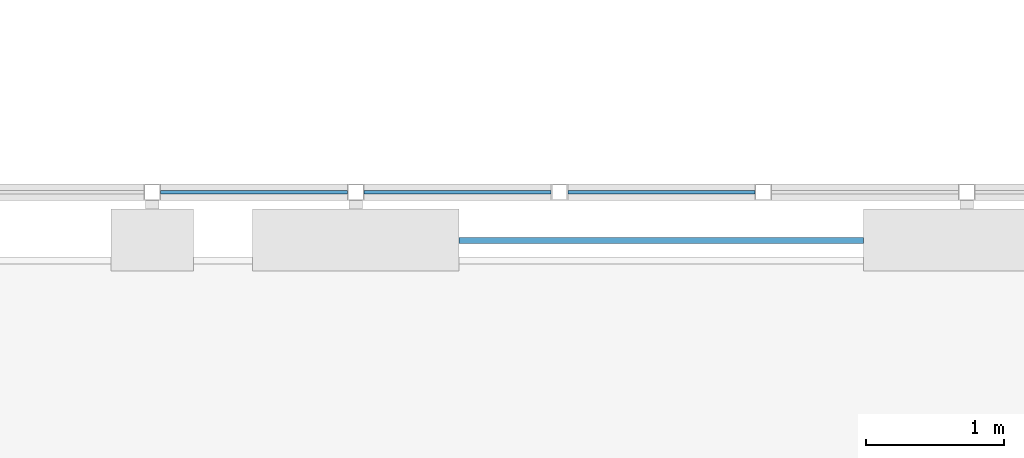
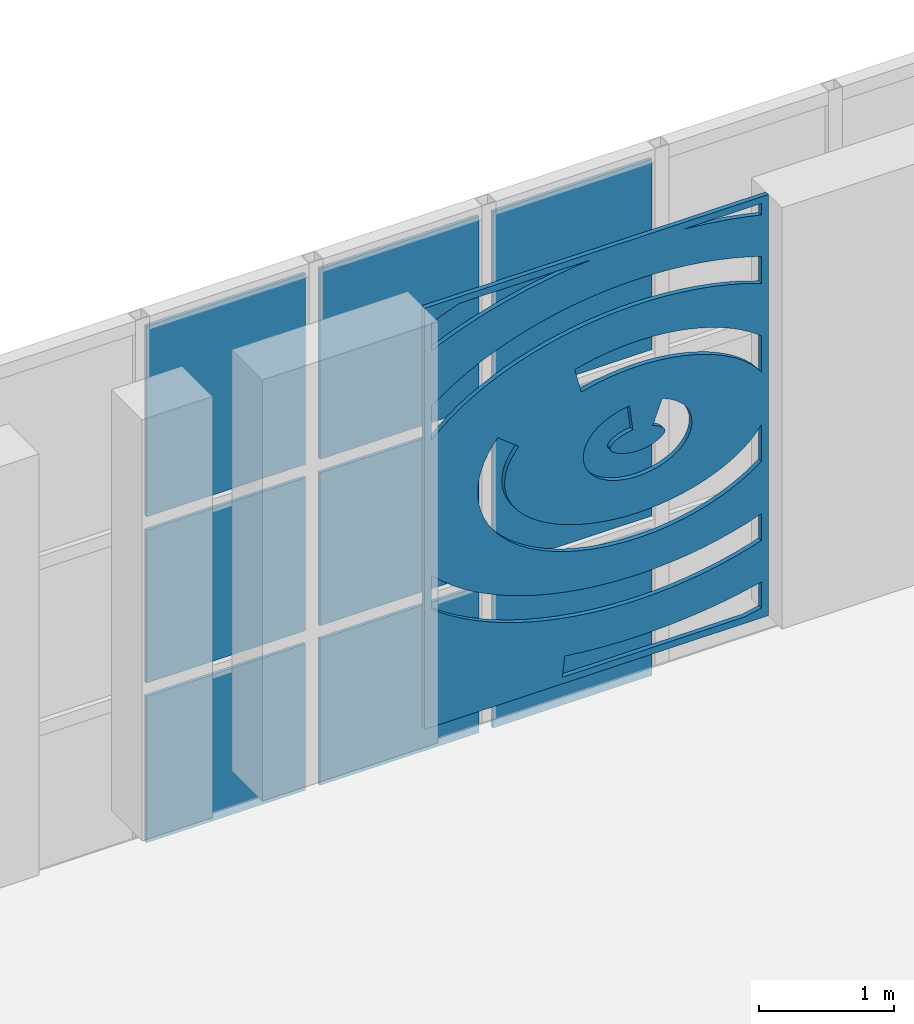
# One storey, part 57 of 134: 10 plates, 1 element without a shape of its own.
"""IFC4 building model written with IfcOpenShell, lengths in metres."""

import ifcopenshell
import ifcopenshell.guid

model = None  # the IFC model being written
_history = None  # IfcOwnerHistory: only IFC2X3 demands one
_inside = {}  # id of a spatial element -> (the spatial element, [elements in it])
_under = {}  # id of a project, library or spatial element -> (it, [spatial elements below it])
_declared = {}  # id of a project -> (the project, [libraries it declares])
_typed = {}  # id of a type object -> (the type object, [elements of that type])
_made_of = {}  # id of a material, layer set ... -> (it, [elements and type objects made of it])


def new_model(schema):
    """Start an empty IFC model of exactly this schema.

    Asked for "IFC4X3", IfcOpenShell would pick the latest addendum, in which some entities
    have other attributes; the version numbers below select the first issue.
    IFC2X3 requires an IfcOwnerHistory on every rooted entity: one is made here for all.
    """
    global model, _history
    if schema == "IFC4X3":
        model = ifcopenshell.file(schema_version=(4, 3, 0, 0))
    else:
        model = ifcopenshell.file(schema=schema)
    _inside.clear()
    _under.clear()
    _declared.clear()
    _typed.clear()
    _made_of.clear()
    _history = None
    if model.schema == "IFC2X3":
        org = make("IfcOrganization", Name="unknown")
        user = make(
            "IfcPersonAndOrganization",
            ThePerson=make("IfcPerson", FamilyName="unknown"),
            TheOrganization=org,
        )
        app = make(
            "IfcApplication",
            ApplicationDeveloper=org,
            Version="unknown",
            ApplicationFullName="unknown",
            ApplicationIdentifier="unknown",
        )
        _history = make(
            "IfcOwnerHistory",
            OwningUser=user,
            OwningApplication=app,
            ChangeAction="ADDED",
            CreationDate=0,
        )
    return model


def make(cls, **values):
    """One entity of the class cls with the attributes given. An attribute that is None is left unset."""
    return model.create_entity(
        cls, **{name: value for name, value in values.items() if value is not None}
    )


def rooted(cls, **values):
    """An entity with a GlobalId (a new one), such as an element, a storey or a relation."""
    return make(cls, GlobalId=ifcopenshell.guid.new(), OwnerHistory=_history, **values)


def si_unit(unit_type, name, prefix=None):
    """IfcSIUnit, for example si_unit("LENGTHUNIT", "METRE", prefix="MILLI")."""
    return make("IfcSIUnit", UnitType=unit_type, Prefix=prefix, Name=name)


def assignment(units):
    """IfcUnitAssignment: the units of a project."""
    return None if units is None else make("IfcUnitAssignment", Units=units)


def point(xyz):
    """IfcCartesianPoint."""
    return None if xyz is None else make("IfcCartesianPoint", Coordinates=xyz)


def direction(xyz):
    """IfcDirection."""
    return None if xyz is None else make("IfcDirection", DirectionRatios=xyz)


def frame(location, z_axis=None, x_axis=None):
    """IfcAxis2Placement3D, a coordinate frame: its origin and axes. An axis left out is left unset."""
    return make(
        "IfcAxis2Placement3D",
        Location=point(location),
        Axis=direction(z_axis),
        RefDirection=direction(x_axis),
    )


def frame_2d(location, x_axis=None):
    """IfcAxis2Placement2D, a coordinate frame in the plane: its origin and x axis."""
    return make(
        "IfcAxis2Placement2D", Location=point(location), RefDirection=direction(x_axis)
    )


def origin():
    """The frame at (0, 0, 0) with its axes left unset."""
    return frame((0.0, 0.0, 0.0))


def origin_2d():
    """The frame at (0, 0) in the plane with its x axis left unset."""
    return frame_2d((0.0, 0.0))


def place(relative_to, where):
    """IfcLocalPlacement: puts the frame where relative to a parent placement (None: the world)."""
    return make(
        "IfcLocalPlacement", PlacementRelTo=relative_to, RelativePlacement=where
    )


def context(
    kind, dimensions, precision=None, world=None, true_north=None, identifier=None
):
    """IfcGeometricRepresentationContext, for example the 3D "Model" context."""
    return make(
        "IfcGeometricRepresentationContext",
        ContextIdentifier=identifier,
        ContextType=kind,
        CoordinateSpaceDimension=dimensions,
        Precision=precision,
        WorldCoordinateSystem=world,
        TrueNorth=true_north,
    )


def subcontext(parent, identifier, kind, view, scale=None):
    """IfcGeometricRepresentationSubContext, for example "Body" below "Model"."""
    return make(
        "IfcGeometricRepresentationSubContext",
        ContextIdentifier=identifier,
        ContextType=kind,
        ParentContext=parent,
        TargetScale=scale,
        TargetView=view,
    )


def project(units=None, contexts=None):
    """IfcProject with its units and contexts."""
    return rooted(
        "IfcProject",
        Name="project",
        RepresentationContexts=contexts,
        UnitsInContext=assignment(units),
    )


def spatial(cls, under=None, at=None, **own):
    """A site, building, storey or space (cls), placed at a placement, below another one or the project."""
    s = rooted(cls, ObjectPlacement=at, **own)
    if under is not None:
        _under.setdefault(under.id(), (under, []))[1].append(s)
    return s


def polyline(points):
    """IfcPolyline through the points."""
    return make("IfcPolyline", Points=[point(p) for p in points])


def profile(cls, at=None, kind="AREA", **sizes):
    """A parametric profile (cls). Its sizes go by their IFC names, for example OverallWidth=200.0."""
    return make(cls, ProfileType=kind, Position=at, **sizes)


def rectangle(**sizes):
    """IfcRectangleProfileDef."""
    return profile("IfcRectangleProfileDef", **sizes)


def outline(outer, holes=None, kind="AREA"):
    """IfcArbitraryClosedProfileDef: a profile drawn as a closed curve; with holes, ...WithVoids."""
    if holes is None:
        return make("IfcArbitraryClosedProfileDef", ProfileType=kind, OuterCurve=outer)
    return make(
        "IfcArbitraryProfileDefWithVoids",
        ProfileType=kind,
        OuterCurve=outer,
        InnerCurves=holes,
    )


def extrude(swept, where, along, depth):
    """IfcExtrudedAreaSolid: the profile swept, set in the frame where, extruded along a direction by depth."""
    return make(
        "IfcExtrudedAreaSolid",
        SweptArea=swept,
        Position=where,
        ExtrudedDirection=direction(along),
        Depth=depth,
    )


def shape(context_of_items, identifier, shape_type, items):
    """IfcShapeRepresentation: the items that make up one representation, for example the "Body"."""
    return make(
        "IfcShapeRepresentation",
        ContextOfItems=context_of_items,
        RepresentationIdentifier=identifier,
        RepresentationType=shape_type,
        Items=items,
    )


def material(Name=None, Category=None):
    """IfcMaterial."""
    return make("IfcMaterial", Name=Name, Category=Category)


def layer(
    of_material, thickness, ventilated=None, Name=None, Category=None, Priority=None
):
    """IfcMaterialLayer: one layer of a wall or slab, of a material (None: an air gap)."""
    return make(
        "IfcMaterialLayer",
        Material=of_material,
        LayerThickness=thickness,
        IsVentilated=ventilated,
        Name=Name,
        Category=Category,
        Priority=Priority,
    )


def layer_set(layers, Name=None):
    """IfcMaterialLayerSet."""
    return make("IfcMaterialLayerSet", MaterialLayers=layers, LayerSetName=Name)


def made_of(thing, what):
    """Note that an element or type object is made of a material, layer set ...; save() writes the relation."""
    if what is not None:
        _made_of.setdefault(what.id(), (what, []))[1].append(thing)
    return thing


def type_object(cls, material=None, **own):
    """A type object (cls), such as IfcWallType, which elements share."""
    return made_of(rooted(cls, **own), material)


def element(
    cls,
    number,
    at=None,
    inside=None,
    cuts=None,
    type_object=None,
    material=None,
    context=None,
    identifier="Body",
    shape_type=None,
    held_by="IfcProductDefinitionShape",
    body=None,
    shapes=None,
    **own,
):
    """One element of the class cls, such as IfcWall. Its Tag is "e" and its number.

    at: its placement. inside: the storey or other place that contains it. cuts: it is an
    opening in that element (IfcRelVoidsElement). A single representation is given by context,
    identifier, shape_type and body (its items); several are given by shapes. held_by: the class
    of the entity that holds the representations. save() writes the other relations.
    """
    e = rooted(cls, Tag="e%d" % number, ObjectPlacement=at, **own)
    if body is not None:
        shapes = [shape(context, identifier, shape_type, body)]
    if shapes is not None:
        e.Representation = make(held_by, Representations=shapes)
    if inside is not None:
        _inside.setdefault(inside.id(), (inside, []))[1].append(e)
    if cuts is not None:
        rooted(
            "IfcRelVoidsElement", RelatingBuildingElement=cuts, RelatedOpeningElement=e
        )
    if type_object is not None:
        _typed.setdefault(type_object.id(), (type_object, []))[1].append(e)
    return made_of(e, material)


def aggregate(whole, parts):
    """IfcRelAggregates: a whole, such as a stair, and the parts it consists of."""
    return rooted("IfcRelAggregates", RelatingObject=whole, RelatedObjects=parts)


def save(model, path):
    """Write the relations noted so far, then the file.

    IfcRelAggregates (storeys below a building ...), IfcRelContainedInSpatialStructure (elements
    in a storey), IfcRelDefinesByType, IfcRelAssociatesMaterial and IfcRelDeclares: one each for
    every whole, place, type object, material and project.
    """
    for whole, parts in _under.values():
        aggregate(whole, parts)
    for where, things in _inside.values():
        rooted(
            "IfcRelContainedInSpatialStructure",
            RelatedElements=things,
            RelatingStructure=where,
        )
    for kind, things in _typed.values():
        rooted("IfcRelDefinesByType", RelatedObjects=things, RelatingType=kind)
    for what, things in _made_of.values():
        rooted("IfcRelAssociatesMaterial", RelatedObjects=things, RelatingMaterial=what)
    for by, libraries in _declared.values():
        rooted("IfcRelDeclares", RelatingContext=by, RelatedDefinitions=libraries)
    model.write(path)


model = new_model("IFC4")

# Units and contexts
model_context = context("Model", 3, precision=1e-05, world=origin(), true_north=direction((0.0, 1.0)))
body_context = subcontext(model_context, "Body", "Model", "MODEL_VIEW")
ifc_project = project(units=[si_unit("LENGTHUNIT", "METRE"), si_unit("AREAUNIT", "SQUARE_METRE"), si_unit("VOLUMEUNIT", "CUBIC_METRE"), si_unit("PLANEANGLEUNIT", "RADIAN"), si_unit("MASSUNIT", "GRAM", prefix="KILO")], contexts=[model_context])

# Site, building, storey
site_placement = place(None, origin())
site = spatial("IfcSite", under=ifc_project, at=site_placement, CompositionType="ELEMENT")
building_placement = place(site_placement, origin())
building = spatial("IfcBuilding", under=site, at=building_placement, Name="Golden Quay Civic Hall", CompositionType="ELEMENT")
storey_placement = place(building_placement, frame((0.0, 0.0, 5.39990234375)))
storey = spatial("IfcBuildingStorey", under=building, at=storey_placement, Name="L01", CompositionType="ELEMENT", Elevation=5.39990234375)

# Curtain wall, plates
ifc_material_1 = material(Name="Glass and aluminium", Category="aluminium")
curtain_wall_type = type_object("IfcCurtainWallType", Name="Glazed curtain wall 1500 module", PredefinedType="NOTDEFINED", material=ifc_material_1)
curtain_wall_placement = place(storey_placement, origin())
curtain_wall = element("IfcCurtainWall", 1, at=curtain_wall_placement, inside=storey, type_object=curtain_wall_type, Name="CW1 curtain wall", PredefinedType="NOTDEFINED")
ifc_material_2 = material(Name="Laminated glass", Category="glass")
ifc_layer_1 = layer(ifc_material_2, 0.028076171875)
ifc_layer_set_1 = layer_set([ifc_layer_1], Name="Laminated glass panel 28")
plate_type_1 = type_object("IfcPlateType", Name="Laminated glass panel 28", PredefinedType="CURTAIN_PANEL", material=ifc_layer_set_1)
plate_1_placement = place(storey_placement, frame((75.89453125, 0.27001953125, -0.47998046875), z_axis=(0.0, 0.0, 1.0), x_axis=(1.0, 0.0, 0.0)))
plate_1 = element("IfcPlate", 2, at=plate_1_placement, type_object=plate_type_1, Name="CW1 panel 3.1", PredefinedType="CURTAIN_PANEL", context=body_context, shape_type="SweptSolid", body=[
    extrude(rectangle(XDim=1.357666015625, YDim=0.028076171875, at=origin_2d()), origin(), (0.0, 0.0, 1.0), 1.320068359375),
])
plate_2_placement = place(storey_placement, frame((75.89453125, 0.27001953125, 0.960205078125), z_axis=(0.0, 0.0, 1.0), x_axis=(1.0, 0.0, 0.0)))
plate_2 = element("IfcPlate", 3, at=plate_2_placement, type_object=plate_type_1, Name="CW1 panel 3.2", PredefinedType="CURTAIN_PANEL", context=body_context, shape_type="SweptSolid", body=[
    extrude(rectangle(XDim=1.357666015625, YDim=0.028076171875, at=origin_2d()), origin(), (0.0, 0.0, 1.0), 1.3798828125),
])
plate_3_placement = place(storey_placement, frame((75.89453125, 0.27001953125, 2.4599609375), z_axis=(0.0, 0.0, 1.0), x_axis=(1.0, 0.0, 0.0)))
plate_3 = element("IfcPlate", 4, at=plate_3_placement, type_object=plate_type_1, Name="CW1 panel 3.3", PredefinedType="CURTAIN_PANEL", context=body_context, shape_type="SweptSolid", body=[
    extrude(rectangle(XDim=1.357666015625, YDim=0.028076171875, at=origin_2d()), origin(), (0.0, 0.0, 1.0), 1.719970703125),
])
plate_4_placement = place(storey_placement, frame((77.372314453125, 0.27001953125, -0.47998046875), z_axis=(0.0, 0.0, 1.0), x_axis=(1.0, 0.0, 0.0)))
plate_4 = element("IfcPlate", 5, at=plate_4_placement, type_object=plate_type_1, Name="CW1 panel 4.1", PredefinedType="CURTAIN_PANEL", context=body_context, shape_type="SweptSolid", body=[
    extrude(rectangle(XDim=1.357666015625, YDim=0.028076171875, at=origin_2d()), origin(), (0.0, 0.0, 1.0), 1.320068359375),
])
plate_5_placement = place(storey_placement, frame((77.372314453125, 0.27001953125, 0.960205078125), z_axis=(0.0, 0.0, 1.0), x_axis=(1.0, 0.0, 0.0)))
plate_5 = element("IfcPlate", 6, at=plate_5_placement, type_object=plate_type_1, Name="CW1 panel 4.2", PredefinedType="CURTAIN_PANEL", context=body_context, shape_type="SweptSolid", body=[
    extrude(rectangle(XDim=1.357666015625, YDim=0.028076171875, at=origin_2d()), origin(), (0.0, 0.0, 1.0), 1.3798828125),
])
plate_6_placement = place(storey_placement, frame((77.372314453125, 0.27001953125, 2.4599609375), z_axis=(0.0, 0.0, 1.0), x_axis=(1.0, 0.0, 0.0)))
plate_6 = element("IfcPlate", 7, at=plate_6_placement, type_object=plate_type_1, Name="CW1 panel 4.3", PredefinedType="CURTAIN_PANEL", context=body_context, shape_type="SweptSolid", body=[
    extrude(rectangle(XDim=1.357666015625, YDim=0.028076171875, at=origin_2d()), origin(), (0.0, 0.0, 1.0), 1.719970703125),
])
plate_7_placement = place(storey_placement, frame((78.85009765625, 0.27001953125, -0.47998046875), z_axis=(0.0, 0.0, 1.0), x_axis=(1.0, 0.0, 0.0)))
plate_7 = element("IfcPlate", 8, at=plate_7_placement, type_object=plate_type_1, Name="CW1 panel 5.1", PredefinedType="CURTAIN_PANEL", context=body_context, shape_type="SweptSolid", body=[
    extrude(rectangle(XDim=1.357666015625, YDim=0.028076171875, at=origin_2d()), origin(), (0.0, 0.0, 1.0), 1.320068359375),
])
plate_8_placement = place(storey_placement, frame((78.85009765625, 0.27001953125, 0.960205078125), z_axis=(0.0, 0.0, 1.0), x_axis=(1.0, 0.0, 0.0)))
plate_8 = element("IfcPlate", 9, at=plate_8_placement, type_object=plate_type_1, Name="CW1 panel 5.2", PredefinedType="CURTAIN_PANEL", context=body_context, shape_type="SweptSolid", body=[
    extrude(rectangle(XDim=1.357666015625, YDim=0.028076171875, at=origin_2d()), origin(), (0.0, 0.0, 1.0), 1.3798828125),
])
plate_9_placement = place(storey_placement, frame((78.85009765625, 0.27001953125, 2.4599609375), z_axis=(0.0, 0.0, 1.0), x_axis=(1.0, 0.0, 0.0)))
plate_9 = element("IfcPlate", 10, at=plate_9_placement, type_object=plate_type_1, Name="CW1 panel 5.3", PredefinedType="CURTAIN_PANEL", context=body_context, shape_type="SweptSolid", body=[
    extrude(rectangle(XDim=1.357666015625, YDim=0.028076171875, at=origin_2d()), origin(), (0.0, 0.0, 1.0), 1.719970703125),
])
aggregate(curtain_wall, [plate_1, plate_2, plate_3, plate_4, plate_5, plate_6, plate_7, plate_8, plate_9])

# Plate
ifc_material_3 = material(Name="Aluminium, golden anodised, perforated", Category="aluminium")
ifc_layer_2 = layer(ifc_material_3, 0.0400390625)
ifc_layer_set_2 = layer_set([ifc_layer_2], Name="Perforated panel 2934 x 3800 x 40")
plate_type_2 = type_object("IfcPlateType", Name="Perforated panel 2934 x 3800 x 40", PredefinedType="SHEET", material=ifc_layer_set_2)
plate_10_placement = place(storey_placement, frame((78.85009765625, -0.06005859375, 1.900146484375), z_axis=(0.0, -1.0, 0.0), x_axis=(1.0, 0.0, 0.0)))
element("IfcPlate", 11, at=plate_10_placement, inside=storey, type_object=plate_type_2, Name="Hall screen panel south L01 2", PredefinedType="SHEET", context=body_context, shape_type="SweptSolid", body=[
    extrude(outline(polyline([(-1.467041015625, -1.89990234375), (1.467041015625, -1.89990234375), (1.467041015625, 1.89990234375), (-1.467041015625, 1.89990234375), (-1.467041015625, -1.89990234375)]), holes=[polyline([(0.256591796875, 0.172607421875), (0.2119140625, 0.15966796875), (0.174072265625, 0.142822265625), (0.1455078125, 0.124267578125), (0.127197265625, 0.1064453125), (0.11572265625, 0.08740234375), (0.115478515625, 0.073486328125), (0.125732421875, 0.054931640625), (0.143310546875, 0.03759765625), (0.1884765625, 0.010009765625), (0.229248046875, -0.005615234375), (0.3017578125, -0.02001953125), (0.353515625, -0.022705078125), (0.4052734375, -0.019287109375), (0.4541015625, -0.010009765625), (0.49755859375, 0.00390625), (0.547607421875, 0.03076171875), (0.56884765625, 0.049072265625), (0.580322265625, 0.064208984375), (0.585205078125, 0.077880859375), (0.581298828125, 0.093994140625), (0.562255859375, 0.117431640625), (0.537353515625, 0.135986328125), (0.47900390625, 0.1630859375), (0.560546875, 0.37646484375), (0.6298828125, 0.34619140625), (0.684326171875, 0.3125), (0.738037109375, 0.264892578125), (0.7685546875, 0.225830078125), (0.7958984375, 0.174072265625), (0.810302734375, 0.12255859375), (0.813720703125, 0.064697265625), (0.804443359375, 0.011474609375), (0.7919921875, -0.02294921875), (0.775390625, -0.05517578125), (0.7548828125, -0.084716796875), (0.7314453125, -0.11181640625), (0.705078125, -0.13623046875), (0.65380859375, -0.1728515625), (0.5791015625, -0.209716796875), (0.54345703125, -0.22216796875), (0.475830078125, -0.2392578125), (0.391357421875, -0.25), (0.3193359375, -0.25048828125), (0.2734375, -0.246826171875), (0.20361328125, -0.23486328125), (0.16650390625, -0.22509765625), (0.095947265625, -0.198974609375), (0.03173828125, -0.16357421875), (-0.0244140625, -0.11865234375), (-0.056884765625, -0.082275390625), (-0.087890625, -0.031982421875), (-0.106201171875, 0.017578125), (-0.114013671875, 0.074951171875), (-0.109130859375, 0.129150390625), (-0.091552734375, 0.184326171875), (-0.06640625, 0.22900390625), (-0.028076171875, 0.275146484375), (0.029052734375, 0.322021484375), (0.06884765625, 0.345703125), (0.13720703125, 0.37548828125), (0.20361328125, 0.39501953125), (0.28076171875, 0.40771484375), (0.309814453125, 0.180908203125), (0.256591796875, 0.172607421875)]), polyline([(-0.72998046875, 0.27978515625), (-0.752685546875, 0.234619140625), (-0.76904296875, 0.189453125), (-0.77978515625, 0.144287109375), (-0.784912109375, 0.099609375), (-0.78466796875, 0.0546875), (-0.77880859375, 0.009765625), (-0.767333984375, -0.035400390625), (-0.75, -0.08056640625), (-0.726806640625, -0.125732421875), (-0.697509765625, -0.1708984375), (-0.661865234375, -0.215087890625), (-0.6201171875, -0.2587890625), (-0.572509765625, -0.30078125), (-0.51904296875, -0.341064453125), (-0.4599609375, -0.379150390625), (-0.395751953125, -0.414794921875), (-0.32666015625, -0.44775390625), (-0.25341796875, -0.477294921875), (-0.17626953125, -0.503662109375), (-0.095703125, -0.5263671875), (-0.01220703125, -0.54541015625), (0.07373046875, -0.560302734375), (0.1611328125, -0.5712890625), (0.25, -0.578125), (0.33935546875, -0.580810546875), (0.428955078125, -0.5791015625), (0.517822265625, -0.5732421875), (0.605712890625, -0.563232421875), (0.69189453125, -0.54931640625), (0.776123046875, -0.53125), (0.857421875, -0.509521484375), (0.935546875, -0.48388671875), (1.009765625, -0.455078125), (1.079833984375, -0.4228515625), (1.145263671875, -0.387939453125), (1.20556640625, -0.350341796875), (1.26025390625, -0.310302734375), (1.309326171875, -0.268798828125), (1.3525390625, -0.2255859375), (1.406982421875, -0.156005859375), (1.406982421875, -0.485595703125), (1.336669921875, -0.53759765625), (1.262939453125, -0.583740234375), (1.1845703125, -0.6259765625), (1.095703125, -0.666748046875), (1.009521484375, -0.7001953125), (0.919677734375, -0.729248046875), (0.83251953125, -0.752685546875), (0.731689453125, -0.7744140625), (0.63427734375, -0.7900390625), (0.535400390625, -0.801025390625), (0.435791015625, -0.8076171875), (0.3408203125, -0.80908203125), (0.24072265625, -0.806396484375), (0.135498046875, -0.79833984375), (0.04248046875, -0.78662109375), (-0.05419921875, -0.77001953125), (-0.14892578125, -0.74853515625), (-0.2412109375, -0.722900390625), (-0.330078125, -0.692626953125), (-0.421875, -0.655517578125), (-0.4970703125, -0.61962890625), (-0.57421875, -0.5771484375), (-0.6533203125, -0.52587890625), (-0.72021484375, -0.47509765625), (-0.77490234375, -0.4267578125), (-0.830322265625, -0.36962890625), (-0.879150390625, -0.309326171875), (-0.92724609375, -0.235595703125), (-0.961181640625, -0.168212890625), (-0.983154296875, -0.11083984375), (-1.001953125, -0.0400390625), (-1.01220703125, 0.031982421875), (-1.013671875, 0.104736328125), (-1.006103515625, 0.17724609375), (-0.98974609375, 0.2490234375), (-0.9599609375, 0.330810546875), (-0.92626953125, 0.397216796875), (-0.885009765625, 0.461181640625), (-0.84375, 0.51416015625), (-0.66357421875, 0.37353515625), (-0.701416015625, 0.324951171875), (-0.72998046875, 0.27978515625)]), polyline([(1.37548828125, 0.35888671875), (1.336181640625, 0.40283203125), (1.29052734375, 0.445556640625), (1.2392578125, 0.486572265625), (1.18212890625, 0.525390625), (1.119873046875, 0.56201171875), (1.052490234375, 0.595947265625), (0.980712890625, 0.626953125), (0.90478515625, 0.654541015625), (0.825439453125, 0.678466796875), (0.742919921875, 0.698974609375), (0.657958984375, 0.71533203125), (0.571044921875, 0.727783203125), (0.482666015625, 0.736083984375), (0.393310546875, 0.740234375), (0.3037109375, 0.740234375), (0.214599609375, 0.73583984375), (0.126220703125, 0.727294921875), (0.039306640625, 0.71484375), (-0.045654296875, 0.6982421875), (-0.130859375, 0.677001953125), (-0.18603515625, 0.89892578125), (-0.09228515625, 0.922119140625), (-0.001708984375, 0.939697265625), (0.101806640625, 0.95458984375), (0.200927734375, 0.964111328125), (0.295654296875, 0.968505859375), (0.4013671875, 0.968505859375), (0.495849609375, 0.964111328125), (0.59521484375, 0.955078125), (0.69873046875, 0.940185546875), (0.789306640625, 0.922607421875), (0.883056640625, 0.899658203125), (0.97998046875, 0.870361328125), (1.06201171875, 0.840576171875), (1.14599609375, 0.8046875), (1.225830078125, 0.764404296875), (1.307861328125, 0.71630859375), (1.406982421875, 0.64501953125), (1.406982421875, 0.31689453125), (1.37548828125, 0.35888671875)]), polyline([(-1.406982421875, -0.52978515625), (-1.315673828125, -0.6162109375), (-1.2373046875, -0.678955078125), (-1.152099609375, -0.73876953125), (-1.060302734375, -0.79541015625), (-0.96240234375, -0.848388671875), (-0.85888671875, -0.897705078125), (-0.75, -0.943115234375), (-0.636474609375, -0.984130859375), (-0.518798828125, -1.020751953125), (-0.397216796875, -1.052490234375), (-0.272216796875, -1.07958984375), (-0.144775390625, -1.101806640625), (-0.014892578125, -1.11865234375), (0.1162109375, -1.130615234375), (0.24853515625, -1.13720703125), (0.38134765625, -1.138671875), (0.513916015625, -1.134765625), (0.645751953125, -1.12548828125), (0.7763671875, -1.111328125), (0.9052734375, -1.091796875), (1.031494140625, -1.0673828125), (1.15478515625, -1.0380859375), (1.27490234375, -1.00390625), (1.406982421875, -0.958984375), (1.406982421875, -1.20068359375), (1.33984375, -1.22314453125), (1.210205078125, -1.259765625), (1.077392578125, -1.291259765625), (0.9462890625, -1.316650390625), (0.8037109375, -1.338134765625), (0.663818359375, -1.353515625), (0.52294921875, -1.363037109375), (0.381103515625, -1.3671875), (0.243896484375, -1.36572265625), (0.1025390625, -1.358642578125), (-0.037841796875, -1.34619140625), (-0.181396484375, -1.3271484375), (-0.313720703125, -1.304443359375), (-0.447998046875, -1.275390625), (-0.5791015625, -1.2412109375), (-0.711669921875, -1.199951171875), (-0.83544921875, -1.155029296875), (-0.95458984375, -1.105224609375), (-1.06884765625, -1.05078125), (-1.177490234375, -0.991455078125), (-1.280517578125, -0.927490234375), (-1.377197265625, -0.859619140625), (-1.406982421875, -0.835693359375), (-1.406982421875, -0.52978515625)]), polyline([(1.406982421875, 1.11865234375), (1.24169921875, 1.174072265625), (1.120849609375, 1.206787109375), (0.99658203125, 1.23486328125), (0.869384765625, 1.2578125), (0.739990234375, 1.27587890625), (0.609130859375, 1.288818359375), (0.476806640625, 1.29638671875), (0.34423828125, 1.298583984375), (0.211669921875, 1.2958984375), (0.07958984375, 1.287841796875), (-0.051513671875, 1.2744140625), (-0.1806640625, 1.256103515625), (-0.307373046875, 1.232421875), (-0.431396484375, 1.2041015625), (-0.552001953125, 1.1708984375), (-0.668701171875, 1.133056640625), (-0.781005859375, 1.0908203125), (-0.888427734375, 1.04443359375), (-0.990234375, 0.993896484375), (-1.08642578125, 0.939697265625), (-1.176513671875, 0.88232421875), (-1.259765625, 0.821533203125), (-1.336181640625, 0.75830078125), (-1.406982421875, 0.69091796875), (-1.406982421875, 0.996337890625), (-1.302490234375, 1.072998046875), (-1.201416015625, 1.13720703125), (-1.094482421875, 1.197509765625), (-0.981689453125, 1.2529296875), (-0.864013671875, 1.3037109375), (-0.74658203125, 1.347900390625), (-0.6201171875, 1.38916015625), (-0.48974609375, 1.425048828125), (-0.351318359375, 1.456787109375), (-0.215087890625, 1.48193359375), (-0.076904296875, 1.501708984375), (0.063232421875, 1.515625), (0.204345703125, 1.5244140625), (0.34619140625, 1.527099609375), (0.4833984375, 1.524658203125), (0.62451171875, 1.5166015625), (0.769287109375, 1.50244140625), (0.907958984375, 1.483154296875), (1.04443359375, 1.458251953125), (1.17822265625, 1.427978515625), (1.303955078125, 1.393798828125), (1.406982421875, 1.361083984375), (1.406982421875, 1.11865234375)]), polyline([(0.0546875, -1.6875), (0.218505859375, -1.69482421875), (0.382568359375, -1.696533203125), (0.546630859375, -1.692626953125), (0.7099609375, -1.68310546875), (0.872314453125, -1.668212890625), (1.03271484375, -1.647705078125), (1.191162109375, -1.62158203125), (1.406982421875, -1.57568359375), (1.406982421875, -1.810791015625), (1.263916015625, -1.840087890625), (-0.2919921875, -1.840087890625), (-0.271240234375, -1.65625), (-0.10791015625, -1.6748046875), (0.0546875, -1.6875)]), polyline([(1.288330078125, 1.7626953125), (1.131591796875, 1.7919921875), (0.97216796875, 1.81591796875), (0.74169921875, 1.840087890625), (1.406982421875, 1.840087890625), (1.406982421875, 1.736083984375), (1.288330078125, 1.7626953125)]), polyline([(-0.169189453125, 1.82861328125), (-0.329833984375, 1.80810546875), (-0.48828125, 1.781982421875), (-0.64404296875, 1.750732421875), (-0.796630859375, 1.71435546875), (-0.94580078125, 1.672607421875), (-1.090576171875, 1.626220703125), (-1.23095703125, 1.57470703125), (-1.406982421875, 1.5), (-1.406982421875, 1.749267578125), (-1.311767578125, 1.78857421875), (-1.171142578125, 1.840087890625), (-0.044189453125, 1.840087890625), (-0.169189453125, 1.82861328125)])]), origin(), (0.0, 0.0, 1.0), 0.0400390625),
])

save(model, "model.ifc")
